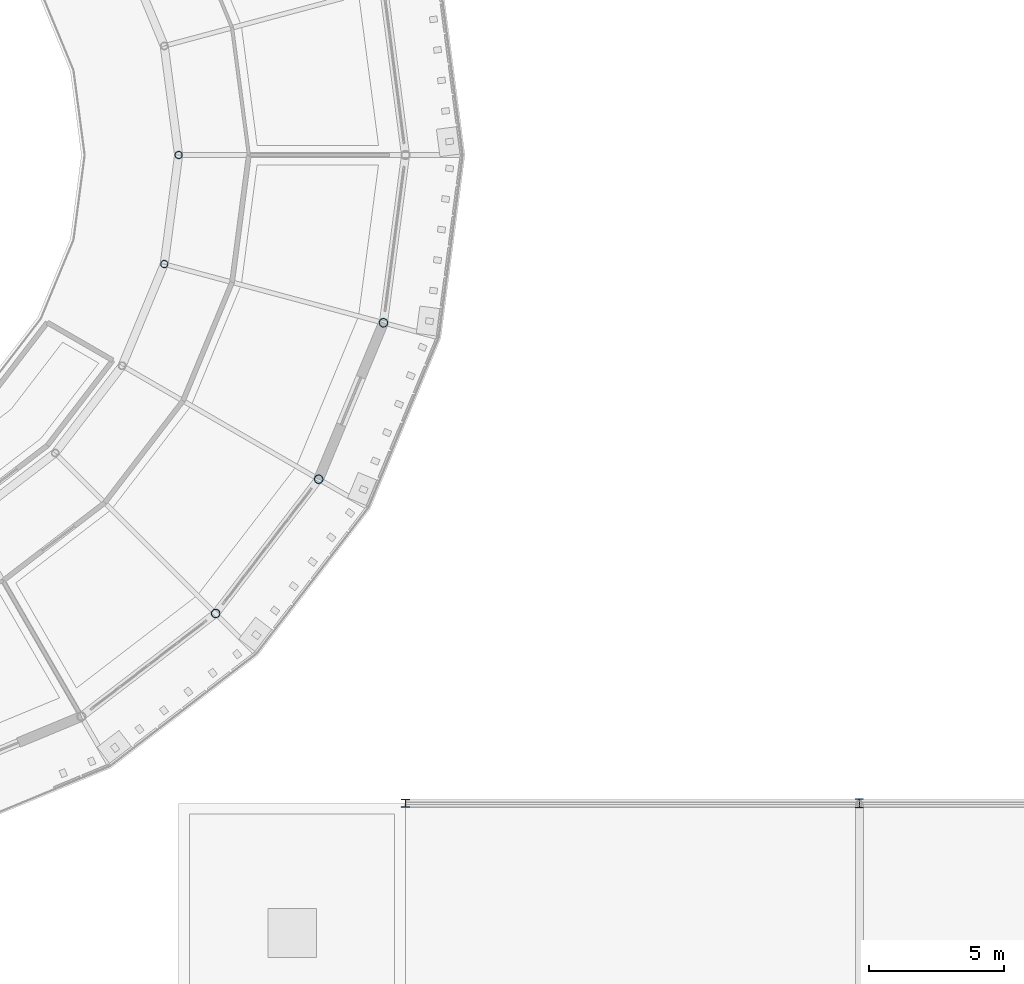
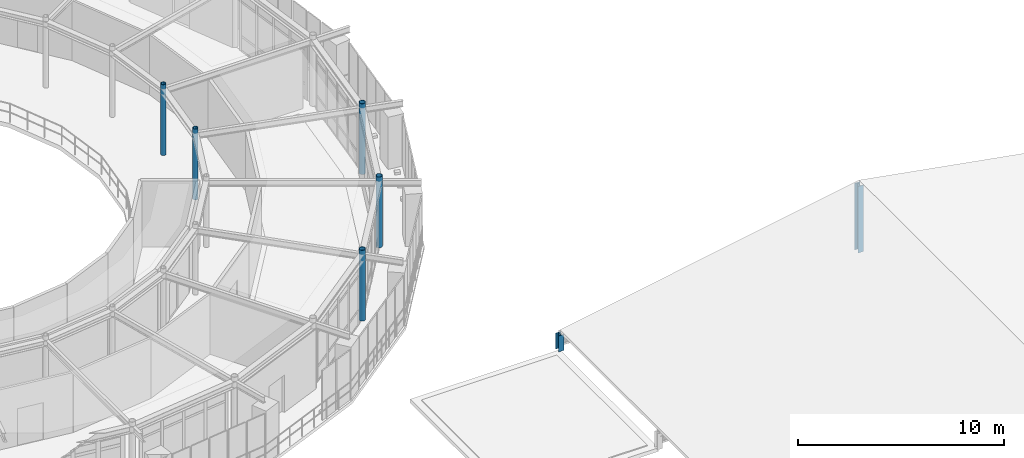
# One storey, part 9 of 90: 7 columns.
"""IFC4 building model written with IfcOpenShell, lengths in metres."""

from ifc_helpers import new_model, si_unit, derived_unit, direction, frame, origin, origin_2d, place, context, subcontext, project, spatial, hollow_circle, i_section, extrude, material, material_profile, profile_set, type_object, element, save


model = new_model("IFC4")

# Units and contexts
model_context = context("Model", 3, precision=1e-05, world=origin(), true_north=direction((0.0, 1.0)))
body_context = subcontext(model_context, "Body", "Model", "MODEL_VIEW")
ifc_project = project(units=[si_unit("LENGTHUNIT", "METRE"), si_unit("AREAUNIT", "SQUARE_METRE"), si_unit("VOLUMEUNIT", "CUBIC_METRE"), si_unit("PLANEANGLEUNIT", "RADIAN"), si_unit("MASSUNIT", "GRAM", prefix="KILO"), derived_unit("THERMALTRANSMITTANCEUNIT", [(si_unit("POWERUNIT", "WATT"), 1), (si_unit("AREAUNIT", "SQUARE_METRE"), -1), (si_unit("THERMODYNAMICTEMPERATUREUNIT", "KELVIN"), -1)])], contexts=[model_context])

# Site, building, storey
site_placement = place(None, origin())
site = spatial("IfcSite", under=ifc_project, at=site_placement, CompositionType="ELEMENT")
building_placement = place(site_placement, origin())
building = spatial("IfcBuilding", under=site, at=building_placement, Name="Yasenodar Specialist Clinic", CompositionType="ELEMENT")
storey_placement = place(building_placement, frame((0.0, 0.0, 9.0)))
storey = spatial("IfcBuildingStorey", under=building, at=storey_placement, Name="L02", CompositionType="ELEMENT", Elevation=9.0)

# Columns
ifc_material = material(Name="Steel S355", Category="steel")
ifc_material_profile_1 = material_profile(ifc_material, hollow_circle(Radius=0.136474609375, WallThickness=0.012451171875, at=origin_2d()), Name="CHS 273x12.5")
ifc_profile_set_1 = profile_set([ifc_material_profile_1], Name="Steel S355")
column_type_1 = type_object("IfcColumnType", Name="COL-ST-CHS273", PredefinedType="COLUMN", material=ifc_profile_set_1)
for number, where, z_axis, x_axis, name in (
    (1, (96.60009765625, 58.800048828125, 0.0), (0.0, 0.0, 1.0), (1.0, 0.0, 0.0), "L02 Drum V1 Inner Column 01"),
    (2, (96.068359375, 54.762451171875, 0.0), (0.0, 0.0, 1.0), (1.0, 0.0, 0.0), "L02 Drum V1 Inner Column 24"),
):
    element("IfcColumn", number, at=place(storey_placement, frame(where, z_axis=z_axis, x_axis=x_axis)), inside=storey, type_object=column_type_1, Name=name, PredefinedType="COLUMN", context=body_context, shape_type="SweptSolid", body=[
        extrude(hollow_circle(Radius=0.136474609375, WallThickness=0.012451171875, at=origin_2d()), origin(), (0.0, 0.0, 1.0), 4.199951171875),
    ])
ifc_material_profile_2 = material_profile(ifc_material, hollow_circle(Radius=0.161865234375, WallThickness=0.01611328125, at=origin_2d()), Name="CHS 323.9x16")
ifc_profile_set_2 = profile_set([ifc_material_profile_2], Name="Steel S355")
column_type_2 = type_object("IfcColumnType", Name="COL-ST-CHS324", PredefinedType="COLUMN", material=ifc_profile_set_2)
for number, where, z_axis, x_axis, name in (
    (3, (97.970703125, 41.829345703125, 0.0), (0.0, 0.0, 1.0), (1.0, 0.0, 0.0), "L02 Drum V1 Outer Column 22"),
    (4, (101.78466796875, 46.800048828125, 0.0), (0.0, 0.0, 1.0), (1.0, 0.0, 0.0), "L02 Drum V1 Outer Column 23"),
    (5, (104.18212890625, 52.58837890625, 0.0), (0.0, 0.0, 1.0), (1.0, 0.0, 0.0), "L02 Drum V1 Outer Column 24"),
):
    element("IfcColumn", number, at=place(storey_placement, frame(where, z_axis=z_axis, x_axis=x_axis)), inside=storey, type_object=column_type_2, Name=name, PredefinedType="COLUMN", context=body_context, shape_type="SweptSolid", body=[
        extrude(hollow_circle(Radius=0.161865234375, WallThickness=0.01611328125, at=origin_2d()), origin(), (0.0, 0.0, 1.0), 4.199951171875),
    ])
ifc_material_profile_3 = material_profile(ifc_material, i_section(OverallWidth=0.300048828125, OverallDepth=0.2900390625, WebThickness=0.008544921875, FlangeThickness=0.013916015625, FilletRadius=0.027099609375, at=origin_2d()), Name="HEA 300")
ifc_profile_set_3 = profile_set([ifc_material_profile_3], Name="Steel S355")
column_type_3 = type_object("IfcColumnType", Name="COL-ST-HEA300", PredefinedType="COLUMN", material=ifc_profile_set_3)
column_1_placement = place(storey_placement, frame((105.0, 34.800048828125, 0.0), z_axis=(0.0, 0.0, 1.0), x_axis=(1.0, 0.0, 0.0)))
element("IfcColumn", 6, at=column_1_placement, inside=storey, type_object=column_type_3, Name="L02 Conservatory Truss Eave Pier 05", PredefinedType="COLUMN", context=body_context, shape_type="SweptSolid", body=[
    extrude(i_section(OverallWidth=0.300048828125, OverallDepth=0.2900390625, WebThickness=0.008544921875, FlangeThickness=0.013916015625, FilletRadius=0.027099609375, at=origin_2d()), origin(), (0.0, 0.0, 1.0), 0.949951171875),
])
ifc_material_profile_4 = material_profile(ifc_material, i_section(OverallWidth=0.300048828125, OverallDepth=0.340087890625, WebThickness=0.011962890625, FlangeThickness=0.021484375, FilletRadius=0.027099609375, at=origin_2d()), Name="HEB 340")
ifc_profile_set_4 = profile_set([ifc_material_profile_4], Name="Steel S355")
column_type_4 = type_object("IfcColumnType", Name="COL-ST-HEB340", PredefinedType="COLUMN", material=ifc_profile_set_4)
column_2_placement = place(storey_placement, frame((121.800048828125, 34.800048828125, 0.0), z_axis=(0.0, 0.0, 1.0), x_axis=(1.0, 0.0, 0.0)))
element("IfcColumn", 7, at=column_2_placement, inside=storey, type_object=column_type_4, Name="L02 Conservatory Ridge Column 04", PredefinedType="COLUMN", context=body_context, shape_type="SweptSolid", body=[
    extrude(i_section(OverallWidth=0.300048828125, OverallDepth=0.340087890625, WebThickness=0.011962890625, FlangeThickness=0.021484375, FilletRadius=0.027099609375, at=origin_2d()), origin(), (0.0, 0.0, 1.0), 3.949951171875),
])

save(model, "model.ifc")
